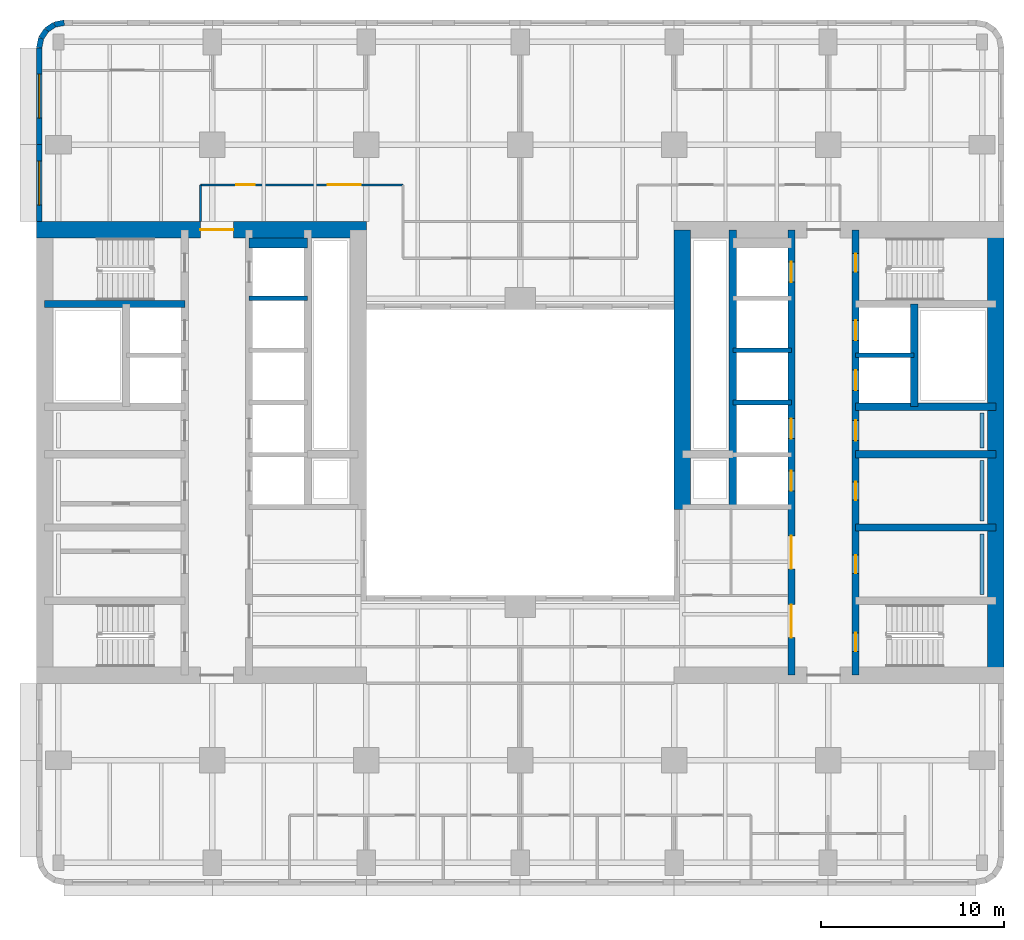
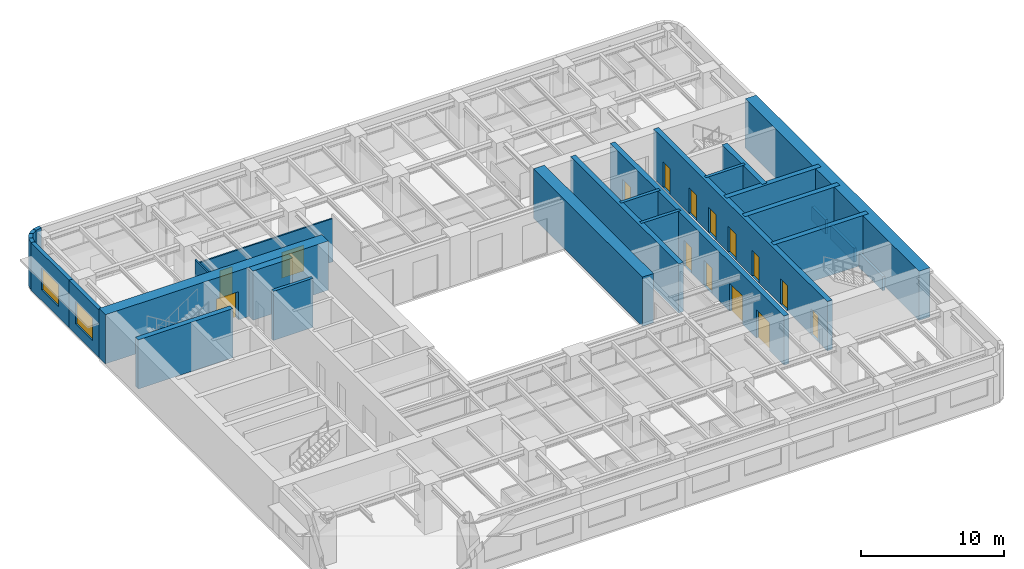
# One storey, part 6 of 11: 27 walls, 15 doors, 2 windows, 17 openings.
"""IFC4 building model written with IfcOpenShell, lengths in metres."""

from ifc_helpers import new_model, si_unit, direction, frame, frame_2d, origin, place, context, subcontext, project, spatial, rectangle, extrude, material, layer, layer_set, type_object, element, fill, save


model = new_model("IFC4")

# Units and contexts
model_context = context("Model", 3, precision=1e-05, world=origin(), true_north=direction((0.0, 1.0)))
body_context = subcontext(model_context, "Body", "Model", "MODEL_VIEW")
ifc_project = project(units=[si_unit("LENGTHUNIT", "METRE"), si_unit("AREAUNIT", "SQUARE_METRE"), si_unit("VOLUMEUNIT", "CUBIC_METRE"), si_unit("PLANEANGLEUNIT", "RADIAN"), si_unit("MASSUNIT", "GRAM", prefix="KILO")], contexts=[model_context])

# Site, building, storey
site_placement = place(None, origin())
site = spatial("IfcSite", under=ifc_project, at=site_placement, CompositionType="ELEMENT")
building_placement = place(site_placement, origin())
building = spatial("IfcBuilding", under=site, at=building_placement, Name="Claustro Exchange Tower", CompositionType="ELEMENT")
storey_placement = place(building_placement, frame((0.0, 0.0, 138.60009765625)))
storey = spatial("IfcBuildingStorey", under=building, at=storey_placement, Name="L31", CompositionType="ELEMENT", Elevation=138.60009765625)

# Wall, openings, doors
ifc_material_1 = material(Name="Laminated glass in aluminium frame", Category="aluminium")
ifc_layer_1 = layer(ifc_material_1, 0.1201171875)
ifc_layer_set_1 = layer_set([ifc_layer_1], Name="Laminated glass in aluminium frame")
wall_type_1 = type_object("IfcWallType", Name="P2 120 glazed partition", PredefinedType="PARTITIONING", material=ifc_layer_set_1)
wall_1_placement = place(storey_placement, frame((7.75, 39.800048828125, 0.0), z_axis=(0.0, 0.0, 1.0), x_axis=(1.0, 0.0, 0.0)))
wall_1 = element("IfcWall", 1, at=wall_1_placement, inside=storey, type_object=wall_type_1, Name="Partition P2 L31", PredefinedType="PARTITIONING", context=body_context, shape_type="SweptSolid", body=[
    extrude(rectangle(XDim=11.050048828125, YDim=0.1201171875, at=frame_2d((5.52490234375, 0.0))), origin(), (0.0, 0.0, 1.0), 3.68994140625),
])
opening_1_placement = place(wall_1_placement, frame((1.949951171875, 0.0, 0.0)))
opening_1 = element("IfcOpeningElement", 2, at=opening_1_placement, cuts=wall_1, Name="Opening D7", PredefinedType="OPENING", context=body_context, shape_type="SweptSolid", body=[
    extrude(rectangle(XDim=1.0, YDim=2.39990234375, at=frame_2d((0.5, 1.199951171875))), frame((0.0, 0.070068359375, 0.0), z_axis=(0.0, -1.0, 0.0), x_axis=(1.0, 0.0, 0.0)), (0.0, 0.0, 1.0), 0.14013671875),
])
opening_2_placement = place(wall_1_placement, frame((6.949951171875, 0.0, 0.0)))
opening_2 = element("IfcOpeningElement", 3, at=opening_2_placement, cuts=wall_1, Name="Opening D2", PredefinedType="OPENING", context=body_context, shape_type="SweptSolid", body=[
    extrude(rectangle(XDim=1.800048828125, YDim=2.199951171875, at=frame_2d((0.89990234375, 1.10009765625))), frame((0.0, 0.070068359375, 0.0), z_axis=(0.0, -1.0, 0.0), x_axis=(1.0, 0.0, 0.0)), (0.0, 0.0, 1.0), 0.14013671875),
])
ifc_material_2 = material(Name="Timber door, oak veneer", Category="wood")
door_type_1 = type_object("IfcDoorType", Name="D2 1800 x 2200 double door", OperationType="DOUBLE_DOOR_SINGLE_SWING", PredefinedType="DOOR", material=ifc_material_2)
door_1_placement = place(opening_2_placement, origin())
door_1 = element("IfcDoor", 4, at=door_1_placement, inside=storey, type_object=door_type_1, Name="Double door D2 L31", OperationType="DOUBLE_DOOR_SINGLE_SWING", OverallHeight=2.199951171875, OverallWidth=1.800048828125, PredefinedType="DOOR", context=body_context, shape_type="SweptSolid", body=[
    extrude(rectangle(XDim=1.800048828125, YDim=2.199951171875, at=frame_2d((0.89990234375, 1.10009765625))), frame((0.0, 0.02490234375, 0.0), z_axis=(0.0, -1.0, 0.0), x_axis=(1.0, 0.0, 0.0)), (0.0, 0.0, 1.0), 0.050048828125),
])
fill(opening_2, door_1)
ifc_material_3 = material(Name="Glass door in aluminium frame", Category="aluminium")
door_type_2 = type_object("IfcDoorType", Name="D7 1000 x 2400 glazed door", OperationType="SINGLE_SWING_LEFT", PredefinedType="DOOR", material=ifc_material_3)
door_2_placement = place(opening_1_placement, origin())
door_2 = element("IfcDoor", 5, at=door_2_placement, inside=storey, type_object=door_type_2, Name="Door D7 L31", OperationType="SINGLE_SWING_LEFT", OverallHeight=2.39990234375, OverallWidth=1.0, PredefinedType="DOOR", context=body_context, shape_type="SweptSolid", body=[
    extrude(rectangle(XDim=1.0, YDim=2.39990234375, at=frame_2d((0.5, 1.199951171875))), frame((0.0, 0.02490234375, 0.0), z_axis=(0.0, -1.0, 0.0), x_axis=(1.0, 0.0, 0.0)), (0.0, 0.0, 1.0), 0.050048828125),
])
fill(opening_1, door_2)

# Wall
wall_2_placement = place(storey_placement, frame((7.75, 37.800048828125, 0.0), z_axis=(0.0, 0.0, 1.0), x_axis=(0.0, 1.0, 0.0)))
element("IfcWall", 6, at=wall_2_placement, inside=storey, type_object=wall_type_1, Name="Partition P2 L31", PredefinedType="PARTITIONING", context=body_context, shape_type="SweptSolid", body=[
    extrude(rectangle(XDim=2.0, YDim=0.1201171875, at=frame_2d((1.0, 0.0))), origin(), (0.0, 0.0, 1.0), 4.0498046875),
])

# Wall, opening, window
ifc_material_4 = material(Name="Concrete HA-40 (C40/50), precast, white cement, acid-etched", Category="concrete")
ifc_layer_2 = layer(ifc_material_4, 0.300048828125)
ifc_layer_set_2 = layer_set([ifc_layer_2], Name="Concrete HA-40 (C40/50), precast, white cement, acid-etched")
wall_type_2 = type_object("IfcWallType", Name="PC1 300 precast concrete pier panel", PredefinedType="SOLIDWALL", material=ifc_layer_set_2)
wall_3_placement = place(storey_placement, frame((-1.050048828125, 37.800048828125, 0.0), z_axis=(0.0, 0.0, 1.0), x_axis=(0.0, 1.0, 0.0)))
wall_3 = element("IfcWall", 7, at=wall_3_placement, inside=storey, type_object=wall_type_2, Name="Precast pier panel PC1 L31", PredefinedType="SOLIDWALL", context=body_context, shape_type="SweptSolid", body=[
    extrude(rectangle(XDim=4.199951171875, YDim=0.300048828125, at=frame_2d((2.10009765625, 0.0))), origin(), (0.0, 0.0, 1.0), 4.0498046875),
])
opening_3_placement = place(wall_3_placement, frame((0.89990234375, 0.0, 0.89990234375)))
opening_3 = element("IfcOpeningElement", 8, at=opening_3_placement, cuts=wall_3, Name="Opening W2", PredefinedType="OPENING", context=body_context, shape_type="SweptSolid", body=[
    extrude(rectangle(XDim=2.39990234375, YDim=1.89990234375, at=frame_2d((1.199951171875, 0.949951171875))), frame((0.0, 0.159912109375, 0.0), z_axis=(0.0, -1.0, 0.0), x_axis=(1.0, 0.0, 0.0)), (0.0, 0.0, 1.0), 0.320068359375),
])
ifc_material_5 = material(Name="Aluminium frame, clear double glazing", Category="aluminium")
window_type = type_object("IfcWindowType", Name="W2 2400 x 1900 window", PartitioningType="SINGLE_PANEL", PredefinedType="WINDOW", material=ifc_material_5)
window_1_placement = place(opening_3_placement, origin())
window_1 = element("IfcWindow", 9, at=window_1_placement, inside=storey, type_object=window_type, Name="Window W2 L31", OverallHeight=1.89990234375, OverallWidth=2.39990234375, PartitioningType="SINGLE_PANEL", PredefinedType="WINDOW", context=body_context, shape_type="SweptSolid", body=[
    extrude(rectangle(XDim=2.39990234375, YDim=1.89990234375, at=frame_2d((1.199951171875, 0.949951171875))), frame((0.0, 0.030029296875, 0.0), z_axis=(0.0, -1.0, 0.0), x_axis=(1.0, 0.0, 0.0)), (0.0, 0.0, 1.0), 0.06005859375),
])
fill(opening_3, window_1)

wall_4_placement = place(storey_placement, frame((-1.050048828125, 42.0, 0.0), z_axis=(0.0, 0.0, 1.0), x_axis=(0.0, 1.0, 0.0)))
wall_4 = element("IfcWall", 10, at=wall_4_placement, inside=storey, type_object=wall_type_2, Name="Precast pier panel PC1 L31", PredefinedType="SOLIDWALL", context=body_context, shape_type="SweptSolid", body=[
    extrude(rectangle(XDim=5.28515625, YDim=0.300048828125, at=frame_2d((2.642578125, 0.0))), origin(), (0.0, 0.0, 1.0), 4.0498046875),
])
opening_4_placement = place(wall_4_placement, frame((1.442626953125, 0.0, 0.89990234375)))
opening_4 = element("IfcOpeningElement", 11, at=opening_4_placement, cuts=wall_4, Name="Opening W2", PredefinedType="OPENING", context=body_context, shape_type="SweptSolid", body=[
    extrude(rectangle(XDim=2.39990234375, YDim=1.89990234375, at=frame_2d((1.199951171875, 0.949951171875))), frame((0.0, 0.159912109375, 0.0), z_axis=(0.0, -1.0, 0.0), x_axis=(1.0, 0.0, 0.0)), (0.0, 0.0, 1.0), 0.320068359375),
])
window_2_placement = place(opening_4_placement, origin())
window_2 = element("IfcWindow", 12, at=window_2_placement, inside=storey, type_object=window_type, Name="Window W2 L31", OverallHeight=1.89990234375, OverallWidth=2.39990234375, PartitioningType="SINGLE_PANEL", PredefinedType="WINDOW", context=body_context, shape_type="SweptSolid", body=[
    extrude(rectangle(XDim=2.39990234375, YDim=1.89990234375, at=frame_2d((1.199951171875, 0.949951171875))), frame((0.0, 0.030029296875, 0.0), z_axis=(0.0, -1.0, 0.0), x_axis=(1.0, 0.0, 0.0)), (0.0, 0.0, 1.0), 0.06005859375),
])
fill(opening_4, window_2)

# Walls
wall_5_placement = place(storey_placement, frame((-1.050048828125, 47.28515625, 0.0), z_axis=(0.0, 0.0, 1.0), x_axis=(0.195073962632, 0.980788534345, 0.0)))
element("IfcWall", 13, at=wall_5_placement, inside=storey, type_object=wall_type_2, Name="Precast pier panel PC1 L31", PredefinedType="SOLIDWALL", context=body_context, shape_type="SweptSolid", body=[
    extrude(rectangle(XDim=0.540771484375, YDim=0.300048828125, at=frame_2d((0.2705078125, 0.0))), origin(), (0.0, 0.0, 1.0), 4.0498046875),
])
wall_6_placement = place(storey_placement, frame((-0.944580078125, 47.8154296875, 0.0), z_axis=(0.0, 0.0, 1.0), x_axis=(0.55534295404, 0.831621430339, 0.0)))
element("IfcWall", 14, at=wall_6_placement, inside=storey, type_object=wall_type_2, Name="Precast pier panel PC1 L31", PredefinedType="SOLIDWALL", context=body_context, shape_type="SweptSolid", body=[
    extrude(rectangle(XDim=0.52587890625, YDim=0.300048828125, at=frame_2d((0.262939453125, 0.0))), origin(), (0.0, 0.0, 1.0), 4.0498046875),
])
wall_7_placement = place(storey_placement, frame((-0.652587890625, 48.252685546875, 0.0), z_axis=(0.0, 0.0, 1.0), x_axis=(0.831692711774, 0.555236195849, 0.0)))
element("IfcWall", 15, at=wall_7_placement, inside=storey, type_object=wall_type_2, Name="Precast pier panel PC1 L31", PredefinedType="SOLIDWALL", context=body_context, shape_type="SweptSolid", body=[
    extrude(rectangle(XDim=0.525390625, YDim=0.300048828125, at=frame_2d((0.2626953125, 0.0))), origin(), (0.0, 0.0, 1.0), 4.0498046875),
])
wall_8_placement = place(storey_placement, frame((-0.215576171875, 48.54443359375, 0.0), z_axis=(0.0, 0.0, 1.0), x_axis=(0.980788534345, 0.195073962632, 0.0)))
element("IfcWall", 16, at=wall_8_placement, inside=storey, type_object=wall_type_2, Name="Precast pier panel PC1 L31", PredefinedType="SOLIDWALL", context=body_context, shape_type="SweptSolid", body=[
    extrude(rectangle(XDim=0.540771484375, YDim=0.300048828125, at=frame_2d((0.2705078125, 0.0))), origin(), (0.0, 0.0, 1.0), 4.0498046875),
])
ifc_material_6 = material(Name="Gypsum board on steel studs, tiled", Category="steel")
ifc_layer_3 = layer(ifc_material_6, 0.199951171875)
ifc_layer_set_3 = layer_set([ifc_layer_3], Name="Gypsum board on steel studs, tiled")
wall_type_3 = type_object("IfcWallType", Name="PW1 200 WC duct wall", PredefinedType="PLUMBINGWALL", material=ifc_layer_set_3)
for number, where, z_axis, x_axis, name in (
    (17, (50.39990234375, 17.449951171875, 0.0), (0.0, 0.0, 1.0), (0.0, 1.0, 0.0), "WC duct wall PW1 L31"),
    (18, (50.39990234375, 21.449951171875, 0.0), (0.0, 0.0, 1.0), (0.0, 1.0, 0.0), "WC duct wall PW1 L31"),
):
    element("IfcWall", number, at=place(storey_placement, frame(where, z_axis=z_axis, x_axis=x_axis)), inside=storey, type_object=wall_type_3, Name=name, PredefinedType="PLUMBINGWALL", context=body_context, shape_type="SweptSolid", body=[
        extrude(rectangle(XDim=3.300048828125, YDim=0.199951171875, at=frame_2d((1.64990234375, 0.0))), origin(), (0.0, 0.0, 1.0), 1.199951171875),
    ])
wall_9_placement = place(storey_placement, frame((50.39990234375, 25.449951171875, 0.0), z_axis=(0.0, 0.0, 1.0), x_axis=(0.0, 1.0, 0.0)))
element("IfcWall", 19, at=wall_9_placement, inside=storey, type_object=wall_type_3, Name="WC duct wall PW1 L31", PredefinedType="PLUMBINGWALL", context=body_context, shape_type="SweptSolid", body=[
    extrude(rectangle(XDim=1.900146484375, YDim=0.199951171875, at=frame_2d((0.9501953125, 0.0))), origin(), (0.0, 0.0, 1.0), 1.199951171875),
])

# Wall, opening, door
ifc_material_7 = material(Name="Concrete HA-70 (C70/85)", Category="concrete")
ifc_layer_4 = layer(ifc_material_7, 0.89990234375)
ifc_layer_set_4 = layer_set([ifc_layer_4], Name="Concrete HA-70 (C70/85)")
wall_type_4 = type_object("IfcWallType", Name="SW1 900 core shear wall", PredefinedType="SHEAR", material=ifc_layer_set_4)
wall_10_placement = place(storey_placement, frame((-1.199951171875, 37.35009765625, 0.0), z_axis=(0.0, 0.0, 1.0), x_axis=(1.0, 0.0, 0.0)))
wall_10 = element("IfcWall", 20, at=wall_10_placement, inside=storey, type_object=wall_type_4, Name="Core wall SW1 W core N face L31", PredefinedType="SHEAR", context=body_context, shape_type="SweptSolid", body=[
    extrude(rectangle(XDim=18.0, YDim=0.89990234375, at=frame_2d((9.0, 0.0))), origin(), (0.0, 0.0, 1.0), 4.199951171875),
])
opening_5_placement = place(wall_10_placement, frame((8.949951171875, 0.0, 0.0)))
opening_5 = element("IfcOpeningElement", 21, at=opening_5_placement, cuts=wall_10, Name="Opening D3", PredefinedType="OPENING", context=body_context, shape_type="SweptSolid", body=[
    extrude(rectangle(XDim=1.800048828125, YDim=2.39990234375, at=frame_2d((0.89990234375, 1.199951171875))), frame((0.0, 0.4599609375, 0.0), z_axis=(0.0, -1.0, 0.0), x_axis=(1.0, 0.0, 0.0)), (0.0, 0.0, 1.0), 0.919921875),
])
ifc_material_8 = material(Name="Steel fire door, painted", Category="steel")
door_type_3 = type_object("IfcDoorType", Name="D3 1800 x 2400 fire-rated lobby double door", OperationType="DOUBLE_DOOR_SINGLE_SWING", PredefinedType="DOOR", material=ifc_material_8)
door_3_placement = place(opening_5_placement, frame((1.800048828125, 0.0, 0.0), z_axis=(0.0, 0.0, 1.0), x_axis=(-1.0, 0.0, 0.0)))
door_3 = element("IfcDoor", 22, at=door_3_placement, inside=storey, type_object=door_type_3, Name="Lift lobby door D3 L31", OperationType="DOUBLE_DOOR_SINGLE_SWING", OverallHeight=2.39990234375, OverallWidth=1.800048828125, PredefinedType="DOOR", context=body_context, shape_type="SweptSolid", body=[
    extrude(rectangle(XDim=1.800048828125, YDim=2.39990234375, at=frame_2d((0.89990234375, 1.199951171875))), frame((0.0, 0.02490234375, 0.0), z_axis=(0.0, -1.0, 0.0), x_axis=(1.0, 0.0, 0.0)), (0.0, 0.0, 1.0), 0.050048828125),
])
fill(opening_5, door_3)

# Walls
ifc_material_9 = material(Name="Concrete HA-70 (C70/85)", Category="concrete")
ifc_layer_5 = layer(ifc_material_9, 0.89990234375)
ifc_layer_set_5 = layer_set([ifc_layer_5], Name="Concrete HA-70 (C70/85)")
wall_type_5 = type_object("IfcWallType", Name="SW1X 900 exposed core shear wall, board-marked face", PredefinedType="SHEAR", material=ifc_layer_set_5)
wall_11_placement = place(storey_placement, frame((34.050048828125, 22.10009765625, 0.0), z_axis=(0.0, 0.0, 1.0), x_axis=(0.0, 1.0, 0.0)))
element("IfcWall", 23, at=wall_11_placement, inside=storey, type_object=wall_type_5, Name="Core wall SW1X E core W face L31", PredefinedType="SHEAR", context=body_context, shape_type="SweptSolid", body=[
    extrude(rectangle(XDim=15.25, YDim=0.89990234375, at=frame_2d((7.625, 0.0))), origin(), (0.0, 0.0, 1.0), 4.199951171875),
])
wall_12_placement = place(storey_placement, frame((51.14990234375, 13.050048828125, 0.0), z_axis=(0.0, 0.0, 1.0), x_axis=(0.0, 1.0, 0.0)))
element("IfcWall", 24, at=wall_12_placement, inside=storey, type_object=wall_type_5, Name="Core wall SW1X E core E face L31", PredefinedType="SHEAR", context=body_context, shape_type="SweptSolid", body=[
    extrude(rectangle(XDim=24.300048828125, YDim=0.89990234375, at=frame_2d((12.14990234375, 0.0))), origin(), (0.0, 0.0, 1.0), 4.199951171875),
])
ifc_material_10 = material(Name="Concrete HA-50 (C50/60)", Category="concrete")
ifc_layer_6 = layer(ifc_material_10, 0.39990234375)
ifc_layer_set_6 = layer_set([ifc_layer_6], Name="Concrete HA-50 (C50/60)")
wall_type_6 = type_object("IfcWallType", Name="SW4 400 internal core wall", PredefinedType="SHEAR", material=ifc_layer_set_6)
wall_13_placement = place(storey_placement, frame((-0.75, 33.300048828125, 0.0), z_axis=(0.0, 0.0, 1.0), x_axis=(1.0, 0.0, 0.0)))
element("IfcWall", 25, at=wall_13_placement, inside=storey, type_object=wall_type_6, Name="Internal core wall SW4 W core L31", PredefinedType="SHEAR", context=body_context, shape_type="SweptSolid", body=[
    extrude(rectangle(XDim=7.64990234375, YDim=0.39990234375, at=frame_2d((3.824951171875, 0.0))), origin(), (0.0, 0.0, 1.0), 4.199951171875),
])

# Wall, openings, doors
wall_14_placement = place(storey_placement, frame((43.5, 13.050048828125, 0.0), z_axis=(0.0, 0.0, 1.0), x_axis=(0.0, 1.0, 0.0)))
wall_14 = element("IfcWall", 26, at=wall_14_placement, inside=storey, type_object=wall_type_6, Name="Internal core wall SW4 E core L31", PredefinedType="SHEAR", context=body_context, shape_type="SweptSolid", body=[
    extrude(rectangle(XDim=24.300048828125, YDim=0.39990234375, at=frame_2d((12.14990234375, 0.0))), origin(), (0.0, 0.0, 1.0), 4.199951171875),
])
opening_6_placement = place(wall_14_placement, frame((1.300048828125, 0.0, 0.0)))
opening_6 = element("IfcOpeningElement", 27, at=opening_6_placement, cuts=wall_14, Name="Opening D4", PredefinedType="OPENING", context=body_context, shape_type="SweptSolid", body=[
    extrude(rectangle(XDim=1.0, YDim=2.199951171875, at=frame_2d((0.5, 1.10009765625))), frame((0.0, 0.2099609375, 0.0), z_axis=(0.0, -1.0, 0.0), x_axis=(1.0, 0.0, 0.0)), (0.0, 0.0, 1.0), 0.419921875),
])
opening_7_placement = place(wall_14_placement, frame((22.0, 0.0, 0.0)))
opening_7 = element("IfcOpeningElement", 28, at=opening_7_placement, cuts=wall_14, Name="Opening D4", PredefinedType="OPENING", context=body_context, shape_type="SweptSolid", body=[
    extrude(rectangle(XDim=1.0, YDim=2.199951171875, at=frame_2d((0.5, 1.10009765625))), frame((0.0, 0.2099609375, 0.0), z_axis=(0.0, -1.0, 0.0), x_axis=(1.0, 0.0, 0.0)), (0.0, 0.0, 1.0), 0.419921875),
])
opening_8_placement = place(wall_14_placement, frame((5.550048828125, 0.0, 0.0)))
opening_8 = element("IfcOpeningElement", 29, at=opening_8_placement, cuts=wall_14, Name="Opening D1", PredefinedType="OPENING", context=body_context, shape_type="SweptSolid", body=[
    extrude(rectangle(XDim=1.0, YDim=2.199951171875, at=frame_2d((0.5, 1.10009765625))), frame((0.0, 0.2099609375, 0.0), z_axis=(0.0, -1.0, 0.0), x_axis=(1.0, 0.0, 0.0)), (0.0, 0.0, 1.0), 0.419921875),
])
opening_9_placement = place(wall_14_placement, frame((9.550048828125, 0.0, 0.0)))
opening_9 = element("IfcOpeningElement", 30, at=opening_9_placement, cuts=wall_14, Name="Opening D1", PredefinedType="OPENING", context=body_context, shape_type="SweptSolid", body=[
    extrude(rectangle(XDim=1.0, YDim=2.199951171875, at=frame_2d((0.5, 1.10009765625))), frame((0.0, 0.2099609375, 0.0), z_axis=(0.0, -1.0, 0.0), x_axis=(1.0, 0.0, 0.0)), (0.0, 0.0, 1.0), 0.419921875),
])
opening_10_placement = place(wall_14_placement, frame((12.800048828125, 0.0, 0.0)))
opening_10 = element("IfcOpeningElement", 31, at=opening_10_placement, cuts=wall_14, Name="Opening D10", PredefinedType="OPENING", context=body_context, shape_type="SweptSolid", body=[
    extrude(rectangle(XDim=1.10009765625, YDim=2.199951171875, at=frame_2d((0.550048828125, 1.10009765625))), frame((0.0, 0.2099609375, 0.0), z_axis=(0.0, -1.0, 0.0), x_axis=(1.0, 0.0, 0.0)), (0.0, 0.0, 1.0), 0.419921875),
])
opening_11_placement = place(wall_14_placement, frame((15.53759765625, 0.0, 0.0)))
opening_11 = element("IfcOpeningElement", 32, at=opening_11_placement, cuts=wall_14, Name="Opening LD", PredefinedType="OPENING", context=body_context, shape_type="SweptSolid", body=[
    extrude(rectangle(XDim=1.10009765625, YDim=2.199951171875, at=frame_2d((0.550048828125, 1.10009765625))), frame((0.0, 0.2099609375, 0.0), z_axis=(0.0, -1.0, 0.0), x_axis=(1.0, 0.0, 0.0)), (0.0, 0.0, 1.0), 0.419921875),
])
opening_12_placement = place(wall_14_placement, frame((18.262451171875, 0.0, 0.0)))
opening_12 = element("IfcOpeningElement", 33, at=opening_12_placement, cuts=wall_14, Name="Opening LD", PredefinedType="OPENING", context=body_context, shape_type="SweptSolid", body=[
    extrude(rectangle(XDim=1.10009765625, YDim=2.199951171875, at=frame_2d((0.550048828125, 1.10009765625))), frame((0.0, 0.2099609375, 0.0), z_axis=(0.0, -1.0, 0.0), x_axis=(1.0, 0.0, 0.0)), (0.0, 0.0, 1.0), 0.419921875),
])
ifc_material_11 = material(Name="Timber door, oak veneer", Category="wood")
door_type_4 = type_object("IfcDoorType", Name="D1 1000 x 2200 single door", OperationType="SINGLE_SWING_LEFT", PredefinedType="DOOR", material=ifc_material_11)
door_4_placement = place(opening_8_placement, frame((1.0, 0.0, 0.0), z_axis=(0.0, 0.0, 1.0), x_axis=(-1.0, 0.0, 0.0)))
door_4 = element("IfcDoor", 34, at=door_4_placement, inside=storey, type_object=door_type_4, Name="Door D1 L31", OperationType="SINGLE_SWING_LEFT", OverallHeight=2.199951171875, OverallWidth=1.0, PredefinedType="DOOR", context=body_context, shape_type="SweptSolid", body=[
    extrude(rectangle(XDim=1.0, YDim=2.199951171875, at=frame_2d((0.5, 1.10009765625))), frame((0.0, 0.02490234375, 0.0), z_axis=(0.0, -1.0, 0.0), x_axis=(1.0, 0.0, 0.0)), (0.0, 0.0, 1.0), 0.050048828125),
])
fill(opening_8, door_4)
door_5_placement = place(opening_9_placement, frame((1.0, 0.0, 0.0), z_axis=(0.0, 0.0, 1.0), x_axis=(-1.0, 0.0, 0.0)))
door_5 = element("IfcDoor", 35, at=door_5_placement, inside=storey, type_object=door_type_4, Name="Door D1 L31", OperationType="SINGLE_SWING_LEFT", OverallHeight=2.199951171875, OverallWidth=1.0, PredefinedType="DOOR", context=body_context, shape_type="SweptSolid", body=[
    extrude(rectangle(XDim=1.0, YDim=2.199951171875, at=frame_2d((0.5, 1.10009765625))), frame((0.0, 0.02490234375, 0.0), z_axis=(0.0, -1.0, 0.0), x_axis=(1.0, 0.0, 0.0)), (0.0, 0.0, 1.0), 0.050048828125),
])
fill(opening_9, door_5)
ifc_material_12 = material(Name="Timber door, oak veneer", Category="wood")
door_type_5 = type_object("IfcDoorType", Name="D10 1100 x 2200 accessible WC door", OperationType="SINGLE_SWING_LEFT", PredefinedType="DOOR", material=ifc_material_12)
door_6_placement = place(opening_10_placement, origin())
door_6 = element("IfcDoor", 36, at=door_6_placement, inside=storey, type_object=door_type_5, Name="Accessible WC door D10 L31", OperationType="SINGLE_SWING_RIGHT", OverallHeight=2.199951171875, OverallWidth=1.10009765625, PredefinedType="DOOR", context=body_context, shape_type="SweptSolid", body=[
    extrude(rectangle(XDim=1.10009765625, YDim=2.199951171875, at=frame_2d((0.550048828125, 1.10009765625))), frame((0.0, 0.02490234375, 0.0), z_axis=(0.0, -1.0, 0.0), x_axis=(1.0, 0.0, 0.0)), (0.0, 0.0, 1.0), 0.050048828125),
])
fill(opening_10, door_6)
ifc_material_13 = material(Name="Steel fire door, painted", Category="steel")
door_type_6 = type_object("IfcDoorType", Name="D4 1000 x 2200 fire-rated stair door", OperationType="SINGLE_SWING_LEFT", PredefinedType="DOOR", material=ifc_material_13)
door_7_placement = place(opening_6_placement, frame((1.0, 0.0, 0.0), z_axis=(0.0, 0.0, 1.0), x_axis=(-1.0, 0.0, 0.0)))
door_7 = element("IfcDoor", 37, at=door_7_placement, inside=storey, type_object=door_type_6, Name="Stair door D4 L31", OperationType="SINGLE_SWING_RIGHT", OverallHeight=2.199951171875, OverallWidth=1.0, PredefinedType="DOOR", context=body_context, shape_type="SweptSolid", body=[
    extrude(rectangle(XDim=1.0, YDim=2.199951171875, at=frame_2d((0.5, 1.10009765625))), frame((0.0, 0.02490234375, 0.0), z_axis=(0.0, -1.0, 0.0), x_axis=(1.0, 0.0, 0.0)), (0.0, 0.0, 1.0), 0.050048828125),
])
fill(opening_6, door_7)
door_8_placement = place(opening_7_placement, frame((1.0, 0.0, 0.0), z_axis=(0.0, 0.0, 1.0), x_axis=(-1.0, 0.0, 0.0)))
door_8 = element("IfcDoor", 38, at=door_8_placement, inside=storey, type_object=door_type_6, Name="Stair door D4 L31", OperationType="SINGLE_SWING_LEFT", OverallHeight=2.199951171875, OverallWidth=1.0, PredefinedType="DOOR", context=body_context, shape_type="SweptSolid", body=[
    extrude(rectangle(XDim=1.0, YDim=2.199951171875, at=frame_2d((0.5, 1.10009765625))), frame((0.0, 0.02490234375, 0.0), z_axis=(0.0, -1.0, 0.0), x_axis=(1.0, 0.0, 0.0)), (0.0, 0.0, 1.0), 0.050048828125),
])
fill(opening_7, door_8)
ifc_material_14 = material(Name="Stainless steel sliding door", Category="steel")
door_type_7 = type_object("IfcDoorType", Name="LD 1100 x 2200 lift landing door", OperationType="DOUBLE_DOOR_SLIDING", PredefinedType="DOOR", material=ifc_material_14)
door_9_placement = place(opening_11_placement, origin())
door_9 = element("IfcDoor", 39, at=door_9_placement, inside=storey, type_object=door_type_7, Name="Lift landing door LEE1 LD L31", OperationType="DOUBLE_DOOR_SLIDING", OverallHeight=2.199951171875, OverallWidth=1.10009765625, PredefinedType="DOOR", context=body_context, shape_type="SweptSolid", body=[
    extrude(rectangle(XDim=1.10009765625, YDim=2.199951171875, at=frame_2d((0.550048828125, 1.10009765625))), frame((0.0, 0.02490234375, 0.0), z_axis=(0.0, -1.0, 0.0), x_axis=(1.0, 0.0, 0.0)), (0.0, 0.0, 1.0), 0.050048828125),
])
fill(opening_11, door_9)
door_10_placement = place(opening_12_placement, origin())
door_10 = element("IfcDoor", 40, at=door_10_placement, inside=storey, type_object=door_type_7, Name="Lift landing door LEE2 LD L31", OperationType="DOUBLE_DOOR_SLIDING", OverallHeight=2.199951171875, OverallWidth=1.10009765625, PredefinedType="DOOR", context=body_context, shape_type="SweptSolid", body=[
    extrude(rectangle(XDim=1.10009765625, YDim=2.199951171875, at=frame_2d((0.550048828125, 1.10009765625))), frame((0.0, 0.02490234375, 0.0), z_axis=(0.0, -1.0, 0.0), x_axis=(1.0, 0.0, 0.0)), (0.0, 0.0, 1.0), 0.050048828125),
])
fill(opening_12, door_10)

wall_15_placement = place(storey_placement, frame((40.0, 13.050048828125, 0.0), z_axis=(0.0, 0.0, 1.0), x_axis=(0.0, 1.0, 0.0)))
wall_15 = element("IfcWall", 41, at=wall_15_placement, inside=storey, type_object=wall_type_6, Name="Internal core wall SW4 E core L31", PredefinedType="SHEAR", context=body_context, shape_type="SweptSolid", body=[
    extrude(rectangle(XDim=24.300048828125, YDim=0.39990234375, at=frame_2d((12.14990234375, 0.0))), origin(), (0.0, 0.0, 1.0), 4.199951171875),
])
opening_13_placement = place(wall_15_placement, frame((10.050048828125, 0.0, 0.0)))
opening_13 = element("IfcOpeningElement", 42, at=opening_13_placement, cuts=wall_15, Name="Opening LD", PredefinedType="OPENING", context=body_context, shape_type="SweptSolid", body=[
    extrude(rectangle(XDim=1.10009765625, YDim=2.199951171875, at=frame_2d((0.550048828125, 1.10009765625))), frame((0.0, 0.2099609375, 0.0), z_axis=(0.0, -1.0, 0.0), x_axis=(1.0, 0.0, 0.0)), (0.0, 0.0, 1.0), 0.419921875),
])
opening_14_placement = place(wall_15_placement, frame((12.89990234375, 0.0, 0.0)))
opening_14 = element("IfcOpeningElement", 43, at=opening_14_placement, cuts=wall_15, Name="Opening LD", PredefinedType="OPENING", context=body_context, shape_type="SweptSolid", body=[
    extrude(rectangle(XDim=1.10009765625, YDim=2.199951171875, at=frame_2d((0.550048828125, 1.10009765625))), frame((0.0, 0.2099609375, 0.0), z_axis=(0.0, -1.0, 0.0), x_axis=(1.0, 0.0, 0.0)), (0.0, 0.0, 1.0), 0.419921875),
])
opening_15_placement = place(wall_15_placement, frame((21.449951171875, 0.0, 0.0)))
opening_15 = element("IfcOpeningElement", 44, at=opening_15_placement, cuts=wall_15, Name="Opening LD", PredefinedType="OPENING", context=body_context, shape_type="SweptSolid", body=[
    extrude(rectangle(XDim=1.10009765625, YDim=2.199951171875, at=frame_2d((0.550048828125, 1.10009765625))), frame((0.0, 0.2099609375, 0.0), z_axis=(0.0, -1.0, 0.0), x_axis=(1.0, 0.0, 0.0)), (0.0, 0.0, 1.0), 0.419921875),
])
opening_16_placement = place(wall_15_placement, frame((2.050048828125, 0.0, 0.0)))
opening_16 = element("IfcOpeningElement", 45, at=opening_16_placement, cuts=wall_15, Name="Opening D3", PredefinedType="OPENING", context=body_context, shape_type="SweptSolid", body=[
    extrude(rectangle(XDim=1.800048828125, YDim=2.39990234375, at=frame_2d((0.89990234375, 1.199951171875))), frame((0.0, 0.2099609375, 0.0), z_axis=(0.0, -1.0, 0.0), x_axis=(1.0, 0.0, 0.0)), (0.0, 0.0, 1.0), 0.419921875),
])
opening_17_placement = place(wall_15_placement, frame((5.800048828125, 0.0, 0.0)))
opening_17 = element("IfcOpeningElement", 46, at=opening_17_placement, cuts=wall_15, Name="Opening D3", PredefinedType="OPENING", context=body_context, shape_type="SweptSolid", body=[
    extrude(rectangle(XDim=1.800048828125, YDim=2.39990234375, at=frame_2d((0.89990234375, 1.199951171875))), frame((0.0, 0.2099609375, 0.0), z_axis=(0.0, -1.0, 0.0), x_axis=(1.0, 0.0, 0.0)), (0.0, 0.0, 1.0), 0.419921875),
])
door_11_placement = place(opening_16_placement, frame((1.800048828125, 0.0, 0.0), z_axis=(0.0, 0.0, 1.0), x_axis=(-1.0, 0.0, 0.0)))
door_11 = element("IfcDoor", 47, at=door_11_placement, inside=storey, type_object=door_type_3, Name="Core zone door D3 L31", OperationType="DOUBLE_DOOR_SINGLE_SWING", OverallHeight=2.39990234375, OverallWidth=1.800048828125, PredefinedType="DOOR", context=body_context, shape_type="SweptSolid", body=[
    extrude(rectangle(XDim=1.800048828125, YDim=2.39990234375, at=frame_2d((0.89990234375, 1.199951171875))), frame((0.0, 0.02490234375, 0.0), z_axis=(0.0, -1.0, 0.0), x_axis=(1.0, 0.0, 0.0)), (0.0, 0.0, 1.0), 0.050048828125),
])
fill(opening_16, door_11)
door_12_placement = place(opening_17_placement, origin())
door_12 = element("IfcDoor", 48, at=door_12_placement, inside=storey, type_object=door_type_3, Name="Core zone door D3 L31", OperationType="DOUBLE_DOOR_SINGLE_SWING", OverallHeight=2.39990234375, OverallWidth=1.800048828125, PredefinedType="DOOR", context=body_context, shape_type="SweptSolid", body=[
    extrude(rectangle(XDim=1.800048828125, YDim=2.39990234375, at=frame_2d((0.89990234375, 1.199951171875))), frame((0.0, 0.02490234375, 0.0), z_axis=(0.0, -1.0, 0.0), x_axis=(1.0, 0.0, 0.0)), (0.0, 0.0, 1.0), 0.050048828125),
])
fill(opening_17, door_12)
door_13_placement = place(opening_13_placement, origin())
door_13 = element("IfcDoor", 49, at=door_13_placement, inside=storey, type_object=door_type_7, Name="Lift landing door LME1 LD L31", OperationType="DOUBLE_DOOR_SLIDING", OverallHeight=2.199951171875, OverallWidth=1.10009765625, PredefinedType="DOOR", context=body_context, shape_type="SweptSolid", body=[
    extrude(rectangle(XDim=1.10009765625, YDim=2.199951171875, at=frame_2d((0.550048828125, 1.10009765625))), frame((0.0, 0.02490234375, 0.0), z_axis=(0.0, -1.0, 0.0), x_axis=(1.0, 0.0, 0.0)), (0.0, 0.0, 1.0), 0.050048828125),
])
fill(opening_13, door_13)
door_14_placement = place(opening_14_placement, origin())
door_14 = element("IfcDoor", 50, at=door_14_placement, inside=storey, type_object=door_type_7, Name="Lift landing door LME2 LD L31", OperationType="DOUBLE_DOOR_SLIDING", OverallHeight=2.199951171875, OverallWidth=1.10009765625, PredefinedType="DOOR", context=body_context, shape_type="SweptSolid", body=[
    extrude(rectangle(XDim=1.10009765625, YDim=2.199951171875, at=frame_2d((0.550048828125, 1.10009765625))), frame((0.0, 0.02490234375, 0.0), z_axis=(0.0, -1.0, 0.0), x_axis=(1.0, 0.0, 0.0)), (0.0, 0.0, 1.0), 0.050048828125),
])
fill(opening_14, door_14)
door_15_placement = place(opening_15_placement, origin())
door_15 = element("IfcDoor", 51, at=door_15_placement, inside=storey, type_object=door_type_7, Name="Lift landing door LSE1 LD L31", OperationType="DOUBLE_DOOR_SLIDING", OverallHeight=2.199951171875, OverallWidth=1.10009765625, PredefinedType="DOOR", context=body_context, shape_type="SweptSolid", body=[
    extrude(rectangle(XDim=1.10009765625, YDim=2.199951171875, at=frame_2d((0.550048828125, 1.10009765625))), frame((0.0, 0.02490234375, 0.0), z_axis=(0.0, -1.0, 0.0), x_axis=(1.0, 0.0, 0.0)), (0.0, 0.0, 1.0), 0.050048828125),
])
fill(opening_15, door_15)

# Walls
wall_16_placement = place(storey_placement, frame((36.800048828125, 22.22509765625, 0.0), z_axis=(0.0, 0.0, 1.0), x_axis=(0.0, 1.0, 0.0)))
element("IfcWall", 52, at=wall_16_placement, inside=storey, type_object=wall_type_6, Name="Internal core wall SW4 E core L31", PredefinedType="SHEAR", context=body_context, shape_type="SweptSolid", body=[
    extrude(rectangle(XDim=15.125, YDim=0.39990234375, at=frame_2d((7.5625, 0.0))), origin(), (0.0, 0.0, 1.0), 4.199951171875),
])
for number, where, z_axis, x_axis, name in (
    (53, (51.14990234375, 21.10009765625, 0.0), (0.0, 0.0, 1.0), (-1.0, 0.0, 0.0), "Internal core wall SW4 E core L31"),
    (54, (51.14990234375, 25.10009765625, 0.0), (0.0, 0.0, 1.0), (-1.0, 0.0, 0.0), "Internal core wall SW4 E core L31"),
    (55, (51.14990234375, 27.699951171875, 0.0), (0.0, 0.0, 1.0), (-1.0, 0.0, 0.0), "Internal core wall SW4 E core L31"),
):
    element("IfcWall", number, at=place(storey_placement, frame(where, z_axis=z_axis, x_axis=x_axis)), inside=storey, type_object=wall_type_6, Name=name, PredefinedType="SHEAR", context=body_context, shape_type="SweptSolid", body=[
        extrude(rectangle(XDim=7.64990234375, YDim=0.39990234375, at=frame_2d((3.824951171875, 0.0))), origin(), (0.0, 0.0, 1.0), 4.199951171875),
    ])
wall_17_placement = place(storey_placement, frame((46.699951171875, 27.699951171875, 0.0), z_axis=(0.0, 0.0, 1.0), x_axis=(0.0, 1.0, 0.0)))
element("IfcWall", 56, at=wall_17_placement, inside=storey, type_object=wall_type_6, Name="Internal core wall SW4 E core L31", PredefinedType="SHEAR", context=body_context, shape_type="SweptSolid", body=[
    extrude(rectangle(XDim=5.60009765625, YDim=0.39990234375, at=frame_2d((2.800048828125, 0.0))), origin(), (0.0, 0.0, 1.0), 4.199951171875),
])
ifc_material_15 = material(Name="Concrete HA-50 (C50/60)", Category="concrete")
ifc_layer_7 = layer(ifc_material_15, 0.25)
ifc_layer_set_7 = layer_set([ifc_layer_7], Name="Concrete HA-50 (C50/60)")
wall_type_7 = type_object("IfcWallType", Name="SW5 250 lift shaft divider wall", PredefinedType="SHEAR", material=ifc_layer_set_7)
wall_18_placement = place(storey_placement, frame((10.39990234375, 33.625, 0.0), z_axis=(0.0, 0.0, 1.0), x_axis=(1.0, 0.0, 0.0)))
element("IfcWall", 57, at=wall_18_placement, inside=storey, type_object=wall_type_7, Name="Lift shaft wall W core L31", PredefinedType="SHEAR", context=body_context, shape_type="SweptSolid", body=[
    extrude(rectangle(XDim=3.2001953125, YDim=0.25, at=frame_2d((1.60009765625, 0.0))), origin(), (0.0, 0.0, 1.0), 4.199951171875),
])
for number, where, z_axis, x_axis, name in (
    (58, (46.699951171875, 30.5, 0.0), (0.0, 0.0, 1.0), (-1.0, 0.0, 0.0), "Lift shaft wall E core L31"),
    (59, (40.0, 27.925048828125, 0.0), (0.0, 0.0, 1.0), (-1.0, 0.0, 0.0), "Lift shaft wall E core L31"),
    (60, (40.0, 30.77490234375, 0.0), (0.0, 0.0, 1.0), (-1.0, 0.0, 0.0), "Lift shaft wall E core L31"),
):
    element("IfcWall", number, at=place(storey_placement, frame(where, z_axis=z_axis, x_axis=x_axis)), inside=storey, type_object=wall_type_7, Name=name, PredefinedType="SHEAR", context=body_context, shape_type="SweptSolid", body=[
        extrude(rectangle(XDim=3.199951171875, YDim=0.25, at=frame_2d((1.60009765625, 0.0))), origin(), (0.0, 0.0, 1.0), 4.199951171875),
    ])
ifc_material_16 = material(Name="Concrete HA-50 (C50/60)", Category="concrete")
ifc_layer_8 = layer(ifc_material_16, 0.550048828125)
ifc_layer_set_8 = layer_set([ifc_layer_8], Name="Concrete HA-50 (C50/60)")
wall_type_8 = type_object("IfcWallType", Name="SW6 550 lift shaft end wall", PredefinedType="SHEAR", material=ifc_layer_set_8)
wall_19_placement = place(storey_placement, frame((10.39990234375, 36.625, 0.0), z_axis=(0.0, 0.0, 1.0), x_axis=(1.0, 0.0, 0.0)))
element("IfcWall", 61, at=wall_19_placement, inside=storey, type_object=wall_type_8, Name="Lift shaft wall W core L31", PredefinedType="SHEAR", context=body_context, shape_type="SweptSolid", body=[
    extrude(rectangle(XDim=3.2001953125, YDim=0.550048828125, at=frame_2d((1.60009765625, 0.0))), origin(), (0.0, 0.0, 1.0), 4.199951171875),
])

save(model, "model.ifc")
